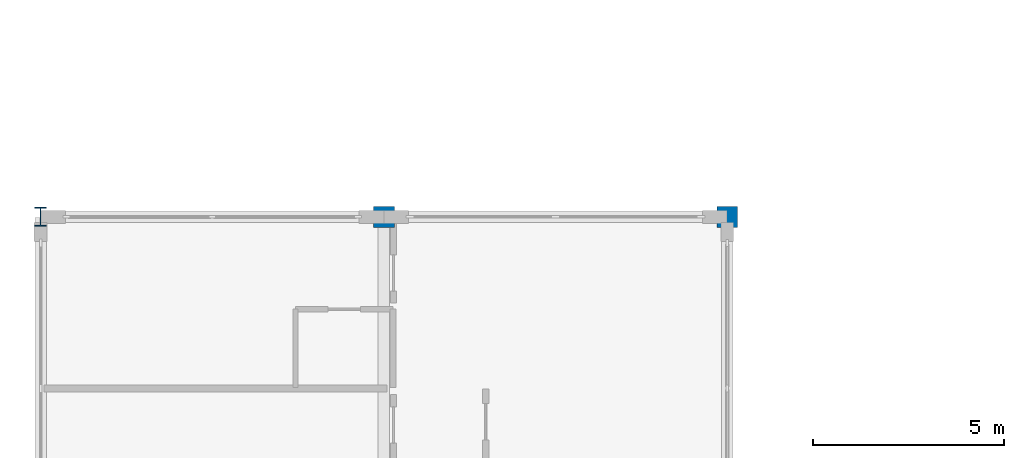
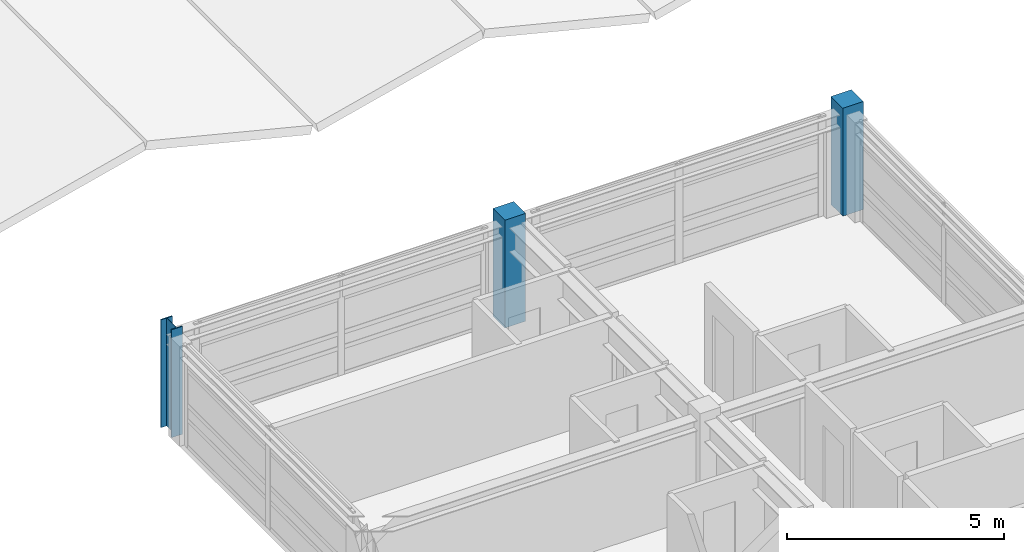
# One storey, part 6 of 37: 3 columns.
"""IFC4 building model written with IfcOpenShell, lengths in metres."""

from ifc_helpers import new_model, si_unit, direction, frame, origin, origin_2d, place, context, subcontext, project, spatial, rectangle, i_section, extrude, material, material_profile, profile_set, type_object, element, save


model = new_model("IFC4")

# Units and contexts
model_context = context("Model", 3, precision=1e-05, world=origin(), true_north=direction((0.0, 1.0)))
body_context = subcontext(model_context, "Body", "Model", "MODEL_VIEW")
ifc_project = project(units=[si_unit("LENGTHUNIT", "METRE"), si_unit("AREAUNIT", "SQUARE_METRE"), si_unit("VOLUMEUNIT", "CUBIC_METRE"), si_unit("PLANEANGLEUNIT", "RADIAN"), si_unit("MASSUNIT", "GRAM", prefix="KILO")], contexts=[model_context])

# Site, building, storey
site_placement = place(None, origin())
site = spatial("IfcSite", under=ifc_project, at=site_placement, CompositionType="ELEMENT")
building_placement = place(site_placement, origin())
building = spatial("IfcBuilding", under=site, at=building_placement, Name="Palais des Congres Ocreval", CompositionType="ELEMENT")
storey_placement = place(building_placement, frame((0.0, 0.0, 11.52001953125)))
storey = spatial("IfcBuildingStorey", under=building, at=storey_placement, Name="L03", CompositionType="ELEMENT", Elevation=11.52001953125)

# Columns
ifc_material_1 = material(Name="Steel S355", Category="steel")
ifc_material_profile_1 = material_profile(ifc_material_1, i_section(OverallWidth=0.300048828125, OverallDepth=0.5, WebThickness=0.014404296875, FlangeThickness=0.028076171875, at=origin_2d()), Name="HEB 500")
ifc_profile_set_1 = profile_set([ifc_material_profile_1], Name="Steel S355")
column_type_1 = type_object("IfcColumnType", Name="Column HEB 500 Steel S355", PredefinedType="COLUMN", material=ifc_profile_set_1)
column_placement = place(storey_placement, frame((0.0, 72.0, 0.0), z_axis=(0.0, 0.0, 1.0), x_axis=(1.0, 0.0, 0.0)))
element("IfcColumn", 1, at=column_placement, inside=storey, type_object=column_type_1, Name="Column C08 L03", PredefinedType="COLUMN", context=body_context, shape_type="SweptSolid", body=[
    extrude(i_section(OverallWidth=0.300048828125, OverallDepth=0.5, WebThickness=0.014404296875, FlangeThickness=0.028076171875, at=origin_2d()), origin(), (0.0, 0.0, 1.0), 3.0400390625),
])
ifc_material_2 = material(Name="Concrete C40/50", Category="concrete")
ifc_material_profile_2 = material_profile(ifc_material_2, rectangle(XDim=0.550048828125, YDim=0.550048828125, at=origin_2d()), Name="RC 550x550")
ifc_profile_set_2 = profile_set([ifc_material_profile_2], Name="Concrete C40/50")
column_type_2 = type_object("IfcColumnType", Name="Column RC 550x550 Concrete C40/50", PredefinedType="COLUMN", material=ifc_profile_set_2)
for number, where, z_axis, x_axis, name in (
    (2, (9.0, 72.0, 0.0), (0.0, 0.0, 1.0), (1.0, 0.0, 0.0), "Column C24 L03"),
    (3, (18.0, 72.0, 0.0), (0.0, 0.0, 1.0), (1.0, 0.0, 0.0), "Column C24 L03"),
):
    element("IfcColumn", number, at=place(storey_placement, frame(where, z_axis=z_axis, x_axis=x_axis)), inside=storey, type_object=column_type_2, Name=name, PredefinedType="COLUMN", context=body_context, shape_type="SweptSolid", body=[
        extrude(rectangle(XDim=0.550048828125, YDim=0.550048828125, at=origin_2d()), origin(), (0.0, 0.0, 1.0), 3.0400390625),
    ])

save(model, "model.ifc")
